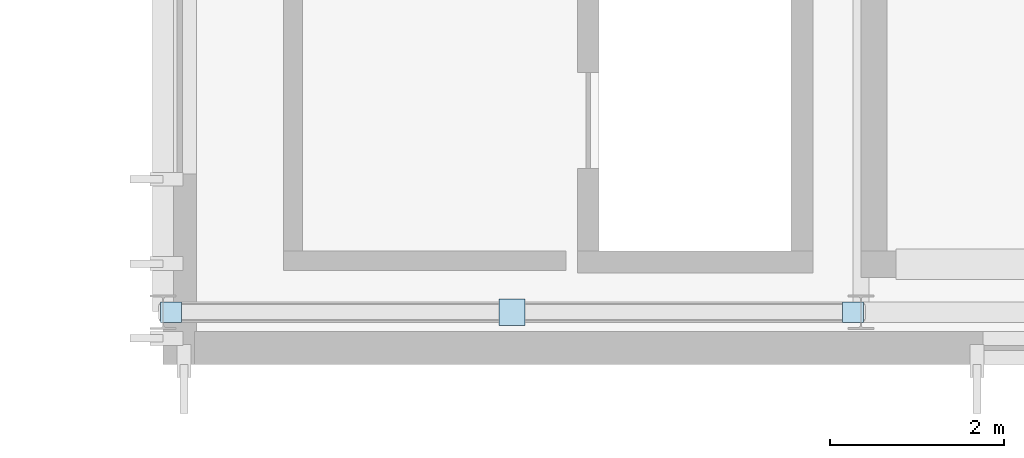
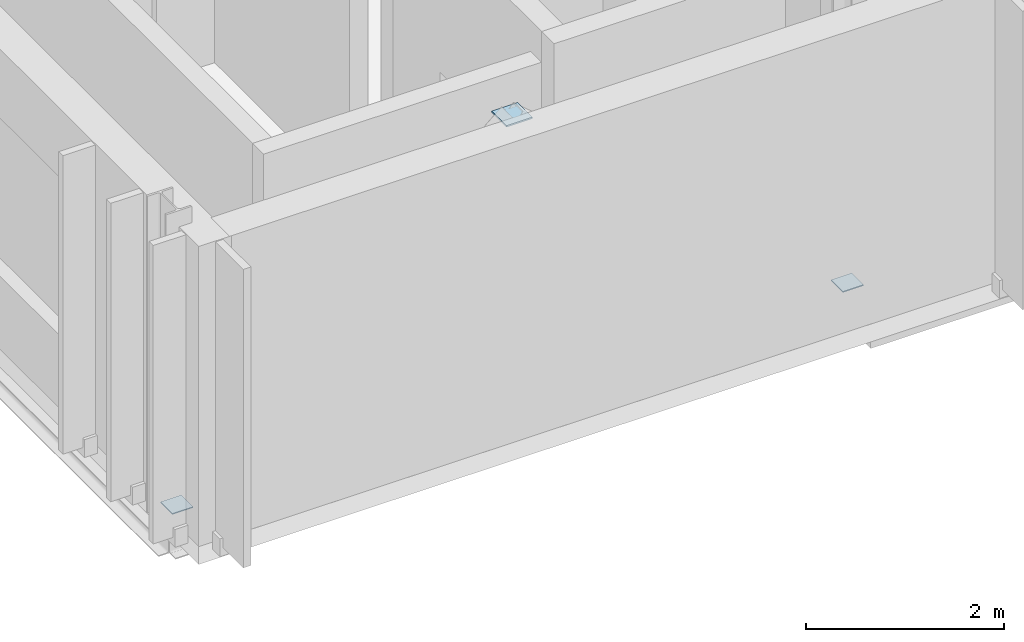
# One storey, part 17 of 28: 3 plates.
"""IFC4 building model written with IfcOpenShell, lengths in metres."""

from ifc_helpers import new_model, si_unit, direction, frame, origin, origin_2d, place, context, subcontext, project, spatial, rectangle, extrude, material, layer, layer_set, type_object, element, save


model = new_model("IFC4")

# Units and contexts
model_context = context("Model", 3, precision=1e-05, world=origin(), true_north=direction((0.0, 1.0)))
body_context = subcontext(model_context, "Body", "Model", "MODEL_VIEW")
ifc_project = project(units=[si_unit("LENGTHUNIT", "METRE"), si_unit("AREAUNIT", "SQUARE_METRE"), si_unit("VOLUMEUNIT", "CUBIC_METRE"), si_unit("PLANEANGLEUNIT", "RADIAN"), si_unit("MASSUNIT", "GRAM", prefix="KILO")], contexts=[model_context])

# Site, building, storey
site_placement = place(None, origin())
site = spatial("IfcSite", under=ifc_project, at=site_placement, CompositionType="ELEMENT")
building_placement = place(site_placement, origin())
building = spatial("IfcBuilding", under=site, at=building_placement, Name="Cymarion Research Institute", CompositionType="ELEMENT")
storey_placement = place(building_placement, frame((0.0, 0.0, 30.60009765625)))
storey = spatial("IfcBuildingStorey", under=building, at=storey_placement, Name="L07", CompositionType="ELEMENT", Elevation=30.60009765625)

# Plates
ifc_material = material(Name="Steel S355", Category="steel")
ifc_layer_1 = layer(ifc_material, 0.01806640625)
ifc_layer_set_1 = layer_set([ifc_layer_1], Name="Steel S355")
plate_type_1 = type_object("IfcPlateType", Name="STEEL NODE GUSSET PLATE CP01 18MM", PredefinedType="USERDEFINED", material=ifc_layer_set_1)
plate_placement = place(storey_placement, frame((142.60009765625, 5.5, 3.55078125), z_axis=(0.0, 0.0, 1.0), x_axis=(1.0, 0.0, 0.0)))
element("IfcPlate", 1, at=plate_placement, inside=storey, type_object=plate_type_1, Name="L07 V1 chevron apex gusset plate", ObjectType="GUSSET PLATE", PredefinedType="USERDEFINED", context=body_context, shape_type="SweptSolid", body=[
    extrude(rectangle(XDim=0.300048828125, YDim=0.300048828125, at=origin_2d()), origin(), (0.0, 0.0, 1.0), 0.01806640625),
])
ifc_layer_2 = layer(ifc_material, 0.011962890625)
ifc_layer_set_2 = layer_set([ifc_layer_2], Name="Steel S355")
plate_type_2 = type_object("IfcPlateType", Name="STEEL NODE GUSSET PLATE CP02 12MM", PredefinedType="USERDEFINED", material=ifc_layer_set_2)
for number, where, z_axis, x_axis, name in (
    (2, (138.69091796875, 5.5, 0.11376953125), (0.0, 0.0, 1.0), (1.0, 0.0, 0.0), "L07 V1 chevron base gusset plate #1"),
    (3, (146.509033203125, 5.5, 0.11376953125), (0.0, 0.0, 1.0), (1.0, 0.0, 0.0), "L07 V1 chevron base gusset plate #2"),
):
    element("IfcPlate", number, at=place(storey_placement, frame(where, z_axis=z_axis, x_axis=x_axis)), inside=storey, type_object=plate_type_2, Name=name, ObjectType="GUSSET PLATE", PredefinedType="USERDEFINED", context=body_context, shape_type="SweptSolid", body=[
        extrude(rectangle(XDim=0.239990234375, YDim=0.239990234375, at=origin_2d()), origin(), (0.0, 0.0, 1.0), 0.011962890625),
    ])

save(model, "model.ifc")
